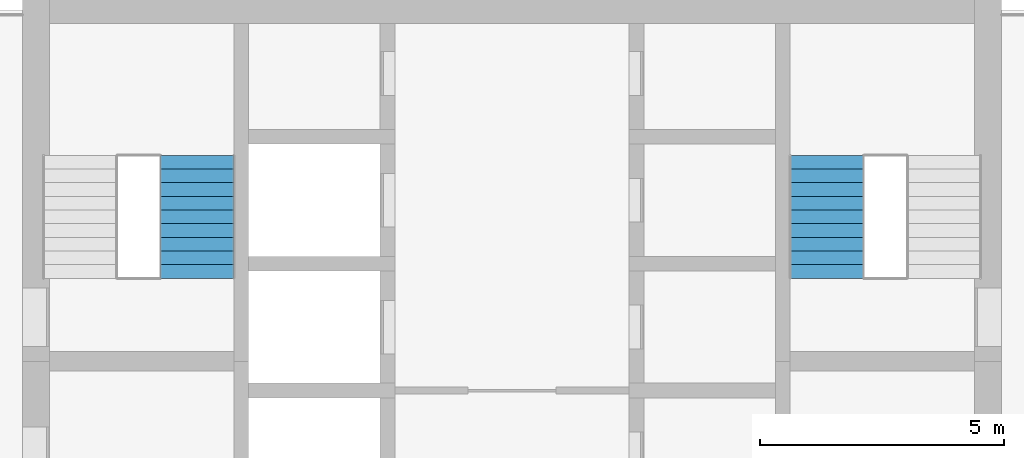
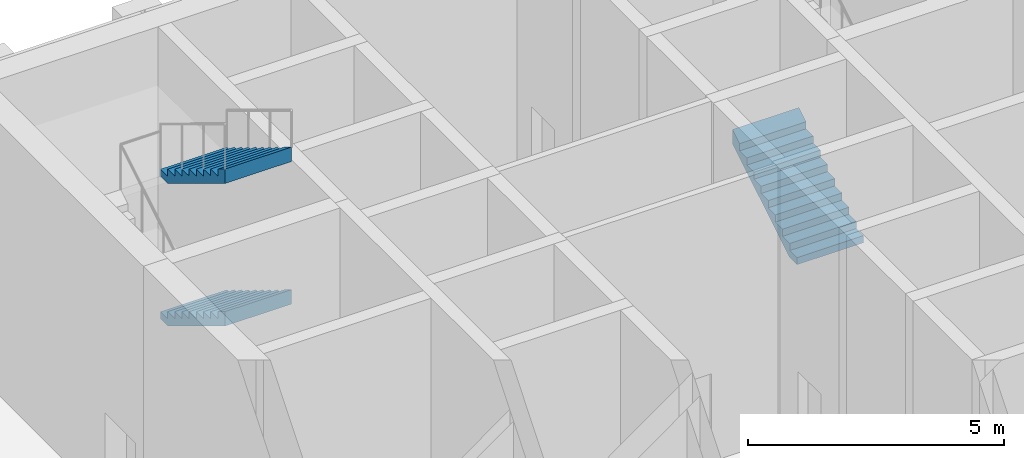
# One storey, part 6 of 10: 3 stair flights, 2 elements without a shape of their own.
"""IFC4 building model written with IfcOpenShell, lengths in metres."""

from ifc_helpers import new_model, si_unit, direction, frame, origin, place, context, subcontext, project, spatial, triangles, material, type_object, element, aggregate, save


model = new_model("IFC4")

# Units and contexts
model_context = context("Model", 3, precision=1e-05, world=origin(), true_north=direction((0.0, 1.0)))
body_context = subcontext(model_context, "Body", "Model", "MODEL_VIEW")
ifc_project = project(units=[si_unit("LENGTHUNIT", "METRE"), si_unit("AREAUNIT", "SQUARE_METRE"), si_unit("VOLUMEUNIT", "CUBIC_METRE"), si_unit("PLANEANGLEUNIT", "RADIAN"), si_unit("MASSUNIT", "GRAM", prefix="KILO")], contexts=[model_context])

# Site, building, storey
site_placement = place(None, origin())
site = spatial("IfcSite", under=ifc_project, at=site_placement, CompositionType="ELEMENT")
building_placement = place(site_placement, origin())
building = spatial("IfcBuilding", under=site, at=building_placement, Name="Ludao Terraces", CompositionType="ELEMENT")
storey_placement = place(building_placement, frame((0.0, 0.0, 116.89990234375)))
storey = spatial("IfcBuildingStorey", under=building, at=storey_placement, Name="L32", CompositionType="ELEMENT", Elevation=116.89990234375)

# Stair, stair flights
ifc_material = material(Name="Concrete C40", Category="concrete")
stair_type = type_object("IfcStairType", Name="INT Stair", PredefinedType="HALF_TURN_STAIR", material=ifc_material)
stair_1_placement = place(storey_placement, origin())
stair_1 = element("IfcStair", 1, at=stair_1_placement, inside=storey, type_object=stair_type, Name="EXIT STAIR 1", PredefinedType="HALF_TURN_STAIR")
stair_flight_type = type_object("IfcStairFlightType", Name="INT Stair flight", PredefinedType="STRAIGHT", material=ifc_material)
stair_flight_1_placement = place(storey_placement, frame((78.550048828125, 81.52001953125, 1.7001953125), z_axis=(0.0, 0.0, 1.0), x_axis=(0.0, -1.0, 0.0)))
stair_flight_1 = element("IfcStairFlight", 2, at=stair_flight_1_placement, type_object=stair_flight_type, Name="ST1 flight 2", NumberOfRisers=10, NumberOfTreads=9, PredefinedType="STRAIGHT", RiserHeight=0.17, TreadLength=0.28, context=body_context, shape_type="Tessellation", body=[
    triangles([(0.0, -0.75, 0.0), (0.0, -0.5, 0.0), (0.0, -0.25, 0.0), (0.0, 0.0, 0.0), (0.0, 0.25, 0.0), (0.0, 0.5, 0.0), (0.0, 0.75, 0.0), (0.0, -0.75, 0.169921875), (0.0, -0.5, 0.169921875), (0.0, -0.25, 0.169921875), (0.0, 0.0, 0.169921875), (0.0, 0.25, 0.169921875), (0.0, 0.5, 0.169921875), (0.0, 0.75, 0.169921875), (0.280029296875, -0.75, 0.169921875), (0.280029296875, -0.5, 0.169921875), (0.280029296875, -0.25, 0.169921875), (0.280029296875, 0.0, 0.169921875), (0.280029296875, 0.25, 0.169921875), (0.280029296875, 0.5, 0.169921875), (0.280029296875, 0.75, 0.169921875), (0.280029296875, -0.75, 0.340087890625), (0.280029296875, -0.5, 0.340087890625), (0.280029296875, -0.25, 0.340087890625), (0.280029296875, 0.0, 0.340087890625), (0.280029296875, 0.25, 0.340087890625), (0.280029296875, 0.5, 0.340087890625), (0.280029296875, 0.75, 0.340087890625), (0.56005859375, -0.75, 0.340087890625), (0.56005859375, -0.5, 0.340087890625), (0.56005859375, -0.25, 0.340087890625), (0.56005859375, 0.0, 0.340087890625), (0.56005859375, 0.25, 0.340087890625), (0.56005859375, 0.5, 0.340087890625), (0.56005859375, 0.75, 0.340087890625), (0.56005859375, -0.75, 0.510009765625), (0.56005859375, -0.5, 0.510009765625), (0.56005859375, -0.25, 0.510009765625), (0.56005859375, 0.0, 0.510009765625), (0.56005859375, 0.25, 0.510009765625), (0.56005859375, 0.5, 0.510009765625), (0.56005859375, 0.75, 0.510009765625), (0.840087890625, -0.75, 0.510009765625), (0.840087890625, -0.5, 0.510009765625), (0.840087890625, -0.25, 0.510009765625), (0.840087890625, 0.0, 0.510009765625), (0.840087890625, 0.25, 0.510009765625), (0.840087890625, 0.5, 0.510009765625), (0.840087890625, 0.75, 0.510009765625), (0.840087890625, -0.75, 0.679931640625), (0.840087890625, -0.5, 0.679931640625), (0.840087890625, -0.25, 0.679931640625), (0.840087890625, 0.0, 0.679931640625), (0.840087890625, 0.25, 0.679931640625), (0.840087890625, 0.5, 0.679931640625), (0.840087890625, 0.75, 0.679931640625), (1.1201171875, -0.75, 0.679931640625), (1.1201171875, -0.5, 0.679931640625), (1.1201171875, -0.25, 0.679931640625), (1.1201171875, 0.0, 0.679931640625), (1.1201171875, 0.25, 0.679931640625), (1.1201171875, 0.5, 0.679931640625), (1.1201171875, 0.75, 0.679931640625), (1.1201171875, -0.75, 0.85009765625), (1.1201171875, -0.5, 0.85009765625), (1.1201171875, -0.25, 0.85009765625), (1.1201171875, 0.0, 0.85009765625), (1.1201171875, 0.25, 0.85009765625), (1.1201171875, 0.5, 0.85009765625), (1.1201171875, 0.75, 0.85009765625), (1.39990234375, -0.75, 0.85009765625), (1.39990234375, -0.5, 0.85009765625), (1.39990234375, -0.25, 0.85009765625), (1.39990234375, 0.0, 0.85009765625), (1.39990234375, 0.25, 0.85009765625), (1.39990234375, 0.5, 0.85009765625), (1.39990234375, 0.75, 0.85009765625), (1.39990234375, -0.75, 1.02001953125), (1.39990234375, -0.5, 1.02001953125), (1.39990234375, -0.25, 1.02001953125), (1.39990234375, 0.0, 1.02001953125), (1.39990234375, 0.25, 1.02001953125), (1.39990234375, 0.5, 1.02001953125), (1.39990234375, 0.75, 1.02001953125), (1.679931640625, -0.75, 1.02001953125), (1.679931640625, -0.5, 1.02001953125), (1.679931640625, -0.25, 1.02001953125), (1.679931640625, 0.0, 1.02001953125), (1.679931640625, 0.25, 1.02001953125), (1.679931640625, 0.5, 1.02001953125), (1.679931640625, 0.75, 1.02001953125), (1.679931640625, -0.75, 1.18994140625), (1.679931640625, -0.5, 1.18994140625), (1.679931640625, -0.25, 1.18994140625), (1.679931640625, 0.0, 1.18994140625), (1.679931640625, 0.25, 1.18994140625), (1.679931640625, 0.5, 1.18994140625), (1.679931640625, 0.75, 1.18994140625), (1.9599609375, -0.75, 1.18994140625), (1.9599609375, -0.5, 1.18994140625), (1.9599609375, -0.25, 1.18994140625), (1.9599609375, 0.0, 1.18994140625), (1.9599609375, 0.25, 1.18994140625), (1.9599609375, 0.5, 1.18994140625), (1.9599609375, 0.75, 1.18994140625), (1.9599609375, -0.75, 1.360107421875), (1.9599609375, -0.5, 1.360107421875), (1.9599609375, -0.25, 1.360107421875), (1.9599609375, 0.0, 1.360107421875), (1.9599609375, 0.25, 1.360107421875), (1.9599609375, 0.5, 1.360107421875), (1.9599609375, 0.75, 1.360107421875), (2.239990234375, -0.75, 1.360107421875), (2.239990234375, -0.5, 1.360107421875), (2.239990234375, -0.25, 1.360107421875), (2.239990234375, 0.0, 1.360107421875), (2.239990234375, 0.25, 1.360107421875), (2.239990234375, 0.5, 1.360107421875), (2.239990234375, 0.75, 1.360107421875), (2.239990234375, -0.75, 1.530029296875), (2.239990234375, -0.5, 1.530029296875), (2.239990234375, -0.25, 1.530029296875), (2.239990234375, 0.0, 1.530029296875), (2.239990234375, 0.25, 1.530029296875), (2.239990234375, 0.5, 1.530029296875), (2.239990234375, 0.75, 1.530029296875), (2.52001953125, -0.75, 1.699951171875), (2.52001953125, -0.5, 1.699951171875), (2.52001953125, -0.25, 1.699951171875), (2.52001953125, 0.0, 1.699951171875), (2.52001953125, 0.25, 1.699951171875), (2.52001953125, 0.5, 1.699951171875), (2.52001953125, 0.75, 1.699951171875), (2.52001953125, -0.75, 1.354736328125), (2.52001953125, -0.5, 1.354736328125), (2.52001953125, -0.25, 1.354736328125), (2.52001953125, 0.0, 1.354736328125), (2.52001953125, 0.25, 1.354736328125), (2.52001953125, 0.5, 1.354736328125), (2.52001953125, 0.75, 1.354736328125), (0.288818359375, -0.75, 0.0), (0.288818359375, -0.5, 0.0), (0.288818359375, -0.25, 0.0), (0.288818359375, 0.0, 0.0), (0.288818359375, 0.25, 0.0), (0.288818359375, 0.5, 0.0), (0.288818359375, 0.75, 0.0)], [[1, 141, 134], [7, 140, 147], [134, 127, 120], [140, 126, 133], [134, 120, 113], [140, 119, 126], [134, 113, 106], [140, 112, 119], [134, 106, 99], [140, 105, 112], [99, 92, 85], [105, 91, 98], [134, 99, 85], [140, 91, 105], [85, 78, 71], [91, 77, 84], [134, 85, 71], [140, 77, 91], [71, 64, 57], [77, 63, 70], [134, 71, 57], [140, 63, 77], [57, 50, 43], [63, 49, 56], [134, 57, 43], [140, 49, 63], [43, 36, 29], [49, 35, 42], [134, 43, 29], [140, 35, 49], [29, 22, 15], [35, 21, 28], [134, 29, 15], [140, 21, 35], [1, 134, 15], [7, 21, 140], [15, 8, 1], [21, 7, 14], [1, 9, 2], [1, 8, 9], [2, 10, 3], [2, 9, 10], [3, 11, 4], [3, 10, 11], [4, 12, 5], [4, 11, 12], [5, 13, 6], [5, 12, 13], [6, 14, 7], [6, 13, 14], [8, 16, 9], [8, 15, 16], [9, 17, 10], [9, 16, 17], [10, 18, 11], [10, 17, 18], [11, 19, 12], [11, 18, 19], [12, 20, 13], [12, 19, 20], [13, 21, 14], [13, 20, 21], [15, 23, 16], [15, 22, 23], [16, 24, 17], [16, 23, 24], [17, 25, 18], [17, 24, 25], [18, 26, 19], [18, 25, 26], [19, 27, 20], [19, 26, 27], [20, 28, 21], [20, 27, 28], [22, 30, 23], [22, 29, 30], [23, 31, 24], [23, 30, 31], [24, 32, 25], [24, 31, 32], [25, 33, 26], [25, 32, 33], [26, 34, 27], [26, 33, 34], [27, 35, 28], [27, 34, 35], [29, 37, 30], [29, 36, 37], [30, 38, 31], [30, 37, 38], [31, 39, 32], [31, 38, 39], [32, 40, 33], [32, 39, 40], [33, 41, 34], [33, 40, 41], [34, 42, 35], [34, 41, 42], [36, 44, 37], [36, 43, 44], [37, 45, 38], [37, 44, 45], [38, 46, 39], [38, 45, 46], [39, 47, 40], [39, 46, 47], [40, 48, 41], [40, 47, 48], [41, 49, 42], [41, 48, 49], [43, 51, 44], [43, 50, 51], [44, 52, 45], [44, 51, 52], [45, 53, 46], [45, 52, 53], [46, 54, 47], [46, 53, 54], [47, 55, 48], [47, 54, 55], [48, 56, 49], [48, 55, 56], [50, 58, 51], [50, 57, 58], [51, 59, 52], [51, 58, 59], [52, 60, 53], [52, 59, 60], [53, 61, 54], [53, 60, 61], [54, 62, 55], [54, 61, 62], [55, 63, 56], [55, 62, 63], [57, 65, 58], [57, 64, 65], [58, 66, 59], [58, 65, 66], [59, 67, 60], [59, 66, 67], [60, 68, 61], [60, 67, 68], [61, 69, 62], [61, 68, 69], [62, 70, 63], [62, 69, 70], [64, 72, 65], [64, 71, 72], [65, 73, 66], [65, 72, 73], [66, 74, 67], [66, 73, 74], [67, 75, 68], [67, 74, 75], [68, 76, 69], [68, 75, 76], [69, 77, 70], [69, 76, 77], [71, 79, 72], [71, 78, 79], [72, 80, 73], [72, 79, 80], [73, 81, 74], [73, 80, 81], [74, 82, 75], [74, 81, 82], [75, 83, 76], [75, 82, 83], [76, 84, 77], [76, 83, 84], [78, 86, 79], [78, 85, 86], [79, 87, 80], [79, 86, 87], [80, 88, 81], [80, 87, 88], [81, 89, 82], [81, 88, 89], [82, 90, 83], [82, 89, 90], [83, 91, 84], [83, 90, 91], [85, 93, 86], [85, 92, 93], [86, 94, 87], [86, 93, 94], [87, 95, 88], [87, 94, 95], [88, 96, 89], [88, 95, 96], [89, 97, 90], [89, 96, 97], [90, 98, 91], [90, 97, 98], [92, 100, 93], [92, 99, 100], [93, 101, 94], [93, 100, 101], [94, 102, 95], [94, 101, 102], [95, 103, 96], [95, 102, 103], [96, 104, 97], [96, 103, 104], [97, 105, 98], [97, 104, 105], [99, 107, 100], [99, 106, 107], [100, 108, 101], [100, 107, 108], [101, 109, 102], [101, 108, 109], [102, 110, 103], [102, 109, 110], [103, 111, 104], [103, 110, 111], [104, 112, 105], [104, 111, 112], [106, 114, 107], [106, 113, 114], [107, 115, 108], [107, 114, 115], [108, 116, 109], [108, 115, 116], [109, 117, 110], [109, 116, 117], [110, 118, 111], [110, 117, 118], [111, 119, 112], [111, 118, 119], [113, 121, 114], [113, 120, 121], [114, 122, 115], [114, 121, 122], [115, 123, 116], [115, 122, 123], [116, 124, 117], [116, 123, 124], [117, 125, 118], [117, 124, 125], [118, 126, 119], [118, 125, 126], [120, 128, 121], [120, 127, 128], [121, 129, 122], [121, 128, 129], [122, 130, 123], [122, 129, 130], [123, 131, 124], [123, 130, 131], [124, 132, 125], [124, 131, 132], [125, 133, 126], [125, 132, 133], [127, 135, 128], [127, 134, 135], [128, 136, 129], [128, 135, 136], [129, 137, 130], [129, 136, 137], [130, 138, 131], [130, 137, 138], [131, 139, 132], [131, 138, 139], [132, 140, 133], [132, 139, 140], [134, 142, 135], [134, 141, 142], [135, 143, 136], [135, 142, 143], [136, 144, 137], [136, 143, 144], [137, 145, 138], [137, 144, 145], [138, 146, 139], [138, 145, 146], [139, 147, 140], [139, 146, 147], [141, 2, 142], [141, 1, 2], [142, 3, 143], [142, 2, 3], [143, 4, 144], [143, 3, 4], [144, 5, 145], [144, 4, 5], [145, 6, 146], [145, 5, 6], [146, 7, 147], [146, 6, 7]], closed=True),
])
stair_flight_2_placement = place(storey_placement, frame((78.550048828125, 81.52001953125, 5.10009765625), z_axis=(0.0, 0.0, 1.0), x_axis=(0.0, -1.0, 0.0)))
stair_flight_2 = element("IfcStairFlight", 3, at=stair_flight_2_placement, type_object=stair_flight_type, Name="ST1 flight 4", NumberOfRisers=10, NumberOfTreads=9, PredefinedType="STRAIGHT", RiserHeight=0.17, TreadLength=0.28, context=body_context, shape_type="Tessellation", body=[
    triangles([(0.0, -0.75, 0.0), (0.0, -0.5, 0.0), (0.0, -0.25, 0.0), (0.0, 0.0, 0.0), (0.0, 0.25, 0.0), (0.0, 0.5, 0.0), (0.0, 0.75, 0.0), (0.0, -0.75, 0.169921875), (0.0, -0.5, 0.169921875), (0.0, -0.25, 0.169921875), (0.0, 0.0, 0.169921875), (0.0, 0.25, 0.169921875), (0.0, 0.5, 0.169921875), (0.0, 0.75, 0.169921875), (0.280029296875, -0.75, 0.169921875), (0.280029296875, -0.5, 0.169921875), (0.280029296875, -0.25, 0.169921875), (0.280029296875, 0.0, 0.169921875), (0.280029296875, 0.25, 0.169921875), (0.280029296875, 0.5, 0.169921875), (0.280029296875, 0.75, 0.169921875), (0.280029296875, -0.75, 0.340087890625), (0.280029296875, -0.5, 0.340087890625), (0.280029296875, -0.25, 0.340087890625), (0.280029296875, 0.0, 0.340087890625), (0.280029296875, 0.25, 0.340087890625), (0.280029296875, 0.5, 0.340087890625), (0.280029296875, 0.75, 0.340087890625), (0.56005859375, -0.75, 0.340087890625), (0.56005859375, -0.5, 0.340087890625), (0.56005859375, -0.25, 0.340087890625), (0.56005859375, 0.0, 0.340087890625), (0.56005859375, 0.25, 0.340087890625), (0.56005859375, 0.5, 0.340087890625), (0.56005859375, 0.75, 0.340087890625), (0.56005859375, -0.75, 0.510009765625), (0.56005859375, -0.5, 0.510009765625), (0.56005859375, -0.25, 0.510009765625), (0.56005859375, 0.0, 0.510009765625), (0.56005859375, 0.25, 0.510009765625), (0.56005859375, 0.5, 0.510009765625), (0.56005859375, 0.75, 0.510009765625), (0.840087890625, -0.75, 0.510009765625), (0.840087890625, -0.5, 0.510009765625), (0.840087890625, -0.25, 0.510009765625), (0.840087890625, 0.0, 0.510009765625), (0.840087890625, 0.25, 0.510009765625), (0.840087890625, 0.5, 0.510009765625), (0.840087890625, 0.75, 0.510009765625), (0.840087890625, -0.75, 0.679931640625), (0.840087890625, -0.5, 0.679931640625), (0.840087890625, -0.25, 0.679931640625), (0.840087890625, 0.0, 0.679931640625), (0.840087890625, 0.25, 0.679931640625), (0.840087890625, 0.5, 0.679931640625), (0.840087890625, 0.75, 0.679931640625), (1.1201171875, -0.75, 0.679931640625), (1.1201171875, -0.5, 0.679931640625), (1.1201171875, -0.25, 0.679931640625), (1.1201171875, 0.0, 0.679931640625), (1.1201171875, 0.25, 0.679931640625), (1.1201171875, 0.5, 0.679931640625), (1.1201171875, 0.75, 0.679931640625), (1.1201171875, -0.75, 0.85009765625), (1.1201171875, -0.5, 0.85009765625), (1.1201171875, -0.25, 0.85009765625), (1.1201171875, 0.0, 0.85009765625), (1.1201171875, 0.25, 0.85009765625), (1.1201171875, 0.5, 0.85009765625), (1.1201171875, 0.75, 0.85009765625), (1.39990234375, -0.75, 0.85009765625), (1.39990234375, -0.5, 0.85009765625), (1.39990234375, -0.25, 0.85009765625), (1.39990234375, 0.0, 0.85009765625), (1.39990234375, 0.25, 0.85009765625), (1.39990234375, 0.5, 0.85009765625), (1.39990234375, 0.75, 0.85009765625), (1.39990234375, -0.75, 1.02001953125), (1.39990234375, -0.5, 1.02001953125), (1.39990234375, -0.25, 1.02001953125), (1.39990234375, 0.0, 1.02001953125), (1.39990234375, 0.25, 1.02001953125), (1.39990234375, 0.5, 1.02001953125), (1.39990234375, 0.75, 1.02001953125), (1.679931640625, -0.75, 1.02001953125), (1.679931640625, -0.5, 1.02001953125), (1.679931640625, -0.25, 1.02001953125), (1.679931640625, 0.0, 1.02001953125), (1.679931640625, 0.25, 1.02001953125), (1.679931640625, 0.5, 1.02001953125), (1.679931640625, 0.75, 1.02001953125), (1.679931640625, -0.75, 1.18994140625), (1.679931640625, -0.5, 1.18994140625), (1.679931640625, -0.25, 1.18994140625), (1.679931640625, 0.0, 1.18994140625), (1.679931640625, 0.25, 1.18994140625), (1.679931640625, 0.5, 1.18994140625), (1.679931640625, 0.75, 1.18994140625), (1.9599609375, -0.75, 1.18994140625), (1.9599609375, -0.5, 1.18994140625), (1.9599609375, -0.25, 1.18994140625), (1.9599609375, 0.0, 1.18994140625), (1.9599609375, 0.25, 1.18994140625), (1.9599609375, 0.5, 1.18994140625), (1.9599609375, 0.75, 1.18994140625), (1.9599609375, -0.75, 1.360107421875), (1.9599609375, -0.5, 1.360107421875), (1.9599609375, -0.25, 1.360107421875), (1.9599609375, 0.0, 1.360107421875), (1.9599609375, 0.25, 1.360107421875), (1.9599609375, 0.5, 1.360107421875), (1.9599609375, 0.75, 1.360107421875), (2.239990234375, -0.75, 1.360107421875), (2.239990234375, -0.5, 1.360107421875), (2.239990234375, -0.25, 1.360107421875), (2.239990234375, 0.0, 1.360107421875), (2.239990234375, 0.25, 1.360107421875), (2.239990234375, 0.5, 1.360107421875), (2.239990234375, 0.75, 1.360107421875), (2.239990234375, -0.75, 1.530029296875), (2.239990234375, -0.5, 1.530029296875), (2.239990234375, -0.25, 1.530029296875), (2.239990234375, 0.0, 1.530029296875), (2.239990234375, 0.25, 1.530029296875), (2.239990234375, 0.5, 1.530029296875), (2.239990234375, 0.75, 1.530029296875), (2.52001953125, -0.75, 1.699951171875), (2.52001953125, -0.5, 1.699951171875), (2.52001953125, -0.25, 1.699951171875), (2.52001953125, 0.0, 1.699951171875), (2.52001953125, 0.25, 1.699951171875), (2.52001953125, 0.5, 1.699951171875), (2.52001953125, 0.75, 1.699951171875), (2.52001953125, -0.75, 1.354736328125), (2.52001953125, -0.5, 1.354736328125), (2.52001953125, -0.25, 1.354736328125), (2.52001953125, 0.0, 1.354736328125), (2.52001953125, 0.25, 1.354736328125), (2.52001953125, 0.5, 1.354736328125), (2.52001953125, 0.75, 1.354736328125), (0.288818359375, -0.75, 0.0), (0.288818359375, -0.5, 0.0), (0.288818359375, -0.25, 0.0), (0.288818359375, 0.0, 0.0), (0.288818359375, 0.25, 0.0), (0.288818359375, 0.5, 0.0), (0.288818359375, 0.75, 0.0)], [[1, 141, 134], [7, 140, 147], [134, 127, 120], [140, 126, 133], [134, 120, 113], [140, 119, 126], [134, 113, 106], [140, 112, 119], [134, 106, 99], [140, 105, 112], [99, 92, 85], [105, 91, 98], [134, 99, 85], [140, 91, 105], [85, 78, 71], [91, 77, 84], [134, 85, 71], [140, 77, 91], [71, 64, 57], [77, 63, 70], [134, 71, 57], [140, 63, 77], [57, 50, 43], [63, 49, 56], [134, 57, 43], [140, 49, 63], [43, 36, 29], [49, 35, 42], [134, 43, 29], [140, 35, 49], [29, 22, 15], [35, 21, 28], [134, 29, 15], [140, 21, 35], [1, 134, 15], [7, 21, 140], [15, 8, 1], [21, 7, 14], [1, 9, 2], [1, 8, 9], [2, 10, 3], [2, 9, 10], [3, 11, 4], [3, 10, 11], [4, 12, 5], [4, 11, 12], [5, 13, 6], [5, 12, 13], [6, 14, 7], [6, 13, 14], [8, 16, 9], [8, 15, 16], [9, 17, 10], [9, 16, 17], [10, 18, 11], [10, 17, 18], [11, 19, 12], [11, 18, 19], [12, 20, 13], [12, 19, 20], [13, 21, 14], [13, 20, 21], [15, 23, 16], [15, 22, 23], [16, 24, 17], [16, 23, 24], [17, 25, 18], [17, 24, 25], [18, 26, 19], [18, 25, 26], [19, 27, 20], [19, 26, 27], [20, 28, 21], [20, 27, 28], [22, 30, 23], [22, 29, 30], [23, 31, 24], [23, 30, 31], [24, 32, 25], [24, 31, 32], [25, 33, 26], [25, 32, 33], [26, 34, 27], [26, 33, 34], [27, 35, 28], [27, 34, 35], [29, 37, 30], [29, 36, 37], [30, 38, 31], [30, 37, 38], [31, 39, 32], [31, 38, 39], [32, 40, 33], [32, 39, 40], [33, 41, 34], [33, 40, 41], [34, 42, 35], [34, 41, 42], [36, 44, 37], [36, 43, 44], [37, 45, 38], [37, 44, 45], [38, 46, 39], [38, 45, 46], [39, 47, 40], [39, 46, 47], [40, 48, 41], [40, 47, 48], [41, 49, 42], [41, 48, 49], [43, 51, 44], [43, 50, 51], [44, 52, 45], [44, 51, 52], [45, 53, 46], [45, 52, 53], [46, 54, 47], [46, 53, 54], [47, 55, 48], [47, 54, 55], [48, 56, 49], [48, 55, 56], [50, 58, 51], [50, 57, 58], [51, 59, 52], [51, 58, 59], [52, 60, 53], [52, 59, 60], [53, 61, 54], [53, 60, 61], [54, 62, 55], [54, 61, 62], [55, 63, 56], [55, 62, 63], [57, 65, 58], [57, 64, 65], [58, 66, 59], [58, 65, 66], [59, 67, 60], [59, 66, 67], [60, 68, 61], [60, 67, 68], [61, 69, 62], [61, 68, 69], [62, 70, 63], [62, 69, 70], [64, 72, 65], [64, 71, 72], [65, 73, 66], [65, 72, 73], [66, 74, 67], [66, 73, 74], [67, 75, 68], [67, 74, 75], [68, 76, 69], [68, 75, 76], [69, 77, 70], [69, 76, 77], [71, 79, 72], [71, 78, 79], [72, 80, 73], [72, 79, 80], [73, 81, 74], [73, 80, 81], [74, 82, 75], [74, 81, 82], [75, 83, 76], [75, 82, 83], [76, 84, 77], [76, 83, 84], [78, 86, 79], [78, 85, 86], [79, 87, 80], [79, 86, 87], [80, 88, 81], [80, 87, 88], [81, 89, 82], [81, 88, 89], [82, 90, 83], [82, 89, 90], [83, 91, 84], [83, 90, 91], [85, 93, 86], [85, 92, 93], [86, 94, 87], [86, 93, 94], [87, 95, 88], [87, 94, 95], [88, 96, 89], [88, 95, 96], [89, 97, 90], [89, 96, 97], [90, 98, 91], [90, 97, 98], [92, 100, 93], [92, 99, 100], [93, 101, 94], [93, 100, 101], [94, 102, 95], [94, 101, 102], [95, 103, 96], [95, 102, 103], [96, 104, 97], [96, 103, 104], [97, 105, 98], [97, 104, 105], [99, 107, 100], [99, 106, 107], [100, 108, 101], [100, 107, 108], [101, 109, 102], [101, 108, 109], [102, 110, 103], [102, 109, 110], [103, 111, 104], [103, 110, 111], [104, 112, 105], [104, 111, 112], [106, 114, 107], [106, 113, 114], [107, 115, 108], [107, 114, 115], [108, 116, 109], [108, 115, 116], [109, 117, 110], [109, 116, 117], [110, 118, 111], [110, 117, 118], [111, 119, 112], [111, 118, 119], [113, 121, 114], [113, 120, 121], [114, 122, 115], [114, 121, 122], [115, 123, 116], [115, 122, 123], [116, 124, 117], [116, 123, 124], [117, 125, 118], [117, 124, 125], [118, 126, 119], [118, 125, 126], [120, 128, 121], [120, 127, 128], [121, 129, 122], [121, 128, 129], [122, 130, 123], [122, 129, 130], [123, 131, 124], [123, 130, 131], [124, 132, 125], [124, 131, 132], [125, 133, 126], [125, 132, 133], [127, 135, 128], [127, 134, 135], [128, 136, 129], [128, 135, 136], [129, 137, 130], [129, 136, 137], [130, 138, 131], [130, 137, 138], [131, 139, 132], [131, 138, 139], [132, 140, 133], [132, 139, 140], [134, 142, 135], [134, 141, 142], [135, 143, 136], [135, 142, 143], [136, 144, 137], [136, 143, 144], [137, 145, 138], [137, 144, 145], [138, 146, 139], [138, 145, 146], [139, 147, 140], [139, 146, 147], [141, 2, 142], [141, 1, 2], [142, 3, 143], [142, 2, 3], [143, 4, 144], [143, 3, 4], [144, 5, 145], [144, 4, 5], [145, 6, 146], [145, 5, 6], [146, 7, 147], [146, 6, 7]], closed=True),
])
aggregate(stair_1, [stair_flight_1, stair_flight_2])

# Stair, stair flight
stair_2_placement = place(storey_placement, origin())
stair_2 = element("IfcStair", 4, at=stair_2_placement, inside=storey, type_object=stair_type, Name="EXIT STAIR 2", PredefinedType="HALF_TURN_STAIR")
stair_flight_3_placement = place(storey_placement, frame((91.449951171875, 79.0, 0.0), z_axis=(0.0, 0.0, 1.0), x_axis=(0.0, 1.0, 0.0)))
stair_flight_3 = element("IfcStairFlight", 5, at=stair_flight_3_placement, type_object=stair_flight_type, Name="ST2 flight 1", NumberOfRisers=10, NumberOfTreads=9, PredefinedType="STRAIGHT", RiserHeight=0.17, TreadLength=0.28, context=body_context, shape_type="Tessellation", body=[
    triangles([(0.0, -0.75, 0.0), (0.0, -0.5, 0.0), (0.0, -0.25, 0.0), (0.0, 0.0, 0.0), (0.0, 0.25, 0.0), (0.0, 0.5, 0.0), (0.0, 0.75, 0.0), (0.0, -0.75, 0.169921875), (0.0, -0.5, 0.169921875), (0.0, -0.25, 0.169921875), (0.0, 0.0, 0.169921875), (0.0, 0.25, 0.169921875), (0.0, 0.5, 0.169921875), (0.0, 0.75, 0.169921875), (0.280029296875, -0.75, 0.169921875), (0.280029296875, -0.5, 0.169921875), (0.280029296875, -0.25, 0.169921875), (0.280029296875, 0.0, 0.169921875), (0.280029296875, 0.25, 0.169921875), (0.280029296875, 0.5, 0.169921875), (0.280029296875, 0.75, 0.169921875), (0.280029296875, -0.75, 0.340087890625), (0.280029296875, -0.5, 0.340087890625), (0.280029296875, -0.25, 0.340087890625), (0.280029296875, 0.0, 0.340087890625), (0.280029296875, 0.25, 0.340087890625), (0.280029296875, 0.5, 0.340087890625), (0.280029296875, 0.75, 0.340087890625), (0.56005859375, -0.75, 0.340087890625), (0.56005859375, -0.5, 0.340087890625), (0.56005859375, -0.25, 0.340087890625), (0.56005859375, 0.0, 0.340087890625), (0.56005859375, 0.25, 0.340087890625), (0.56005859375, 0.5, 0.340087890625), (0.56005859375, 0.75, 0.340087890625), (0.56005859375, -0.75, 0.510009765625), (0.56005859375, -0.5, 0.510009765625), (0.56005859375, -0.25, 0.510009765625), (0.56005859375, 0.0, 0.510009765625), (0.56005859375, 0.25, 0.510009765625), (0.56005859375, 0.5, 0.510009765625), (0.56005859375, 0.75, 0.510009765625), (0.840087890625, -0.75, 0.510009765625), (0.840087890625, -0.5, 0.510009765625), (0.840087890625, -0.25, 0.510009765625), (0.840087890625, 0.0, 0.510009765625), (0.840087890625, 0.25, 0.510009765625), (0.840087890625, 0.5, 0.510009765625), (0.840087890625, 0.75, 0.510009765625), (0.840087890625, -0.75, 0.679931640625), (0.840087890625, -0.5, 0.679931640625), (0.840087890625, -0.25, 0.679931640625), (0.840087890625, 0.0, 0.679931640625), (0.840087890625, 0.25, 0.679931640625), (0.840087890625, 0.5, 0.679931640625), (0.840087890625, 0.75, 0.679931640625), (1.1201171875, -0.75, 0.679931640625), (1.1201171875, -0.5, 0.679931640625), (1.1201171875, -0.25, 0.679931640625), (1.1201171875, 0.0, 0.679931640625), (1.1201171875, 0.25, 0.679931640625), (1.1201171875, 0.5, 0.679931640625), (1.1201171875, 0.75, 0.679931640625), (1.1201171875, -0.75, 0.85009765625), (1.1201171875, -0.5, 0.85009765625), (1.1201171875, -0.25, 0.85009765625), (1.1201171875, 0.0, 0.85009765625), (1.1201171875, 0.25, 0.85009765625), (1.1201171875, 0.5, 0.85009765625), (1.1201171875, 0.75, 0.85009765625), (1.39990234375, -0.75, 0.85009765625), (1.39990234375, -0.5, 0.85009765625), (1.39990234375, -0.25, 0.85009765625), (1.39990234375, 0.0, 0.85009765625), (1.39990234375, 0.25, 0.85009765625), (1.39990234375, 0.5, 0.85009765625), (1.39990234375, 0.75, 0.85009765625), (1.39990234375, -0.75, 1.02001953125), (1.39990234375, -0.5, 1.02001953125), (1.39990234375, -0.25, 1.02001953125), (1.39990234375, 0.0, 1.02001953125), (1.39990234375, 0.25, 1.02001953125), (1.39990234375, 0.5, 1.02001953125), (1.39990234375, 0.75, 1.02001953125), (1.679931640625, -0.75, 1.02001953125), (1.679931640625, -0.5, 1.02001953125), (1.679931640625, -0.25, 1.02001953125), (1.679931640625, 0.0, 1.02001953125), (1.679931640625, 0.25, 1.02001953125), (1.679931640625, 0.5, 1.02001953125), (1.679931640625, 0.75, 1.02001953125), (1.679931640625, -0.75, 1.18994140625), (1.679931640625, -0.5, 1.18994140625), (1.679931640625, -0.25, 1.18994140625), (1.679931640625, 0.0, 1.18994140625), (1.679931640625, 0.25, 1.18994140625), (1.679931640625, 0.5, 1.18994140625), (1.679931640625, 0.75, 1.18994140625), (1.9599609375, -0.75, 1.18994140625), (1.9599609375, -0.5, 1.18994140625), (1.9599609375, -0.25, 1.18994140625), (1.9599609375, 0.0, 1.18994140625), (1.9599609375, 0.25, 1.18994140625), (1.9599609375, 0.5, 1.18994140625), (1.9599609375, 0.75, 1.18994140625), (1.9599609375, -0.75, 1.360107421875), (1.9599609375, -0.5, 1.360107421875), (1.9599609375, -0.25, 1.360107421875), (1.9599609375, 0.0, 1.360107421875), (1.9599609375, 0.25, 1.360107421875), (1.9599609375, 0.5, 1.360107421875), (1.9599609375, 0.75, 1.360107421875), (2.239990234375, -0.75, 1.360107421875), (2.239990234375, -0.5, 1.360107421875), (2.239990234375, -0.25, 1.360107421875), (2.239990234375, 0.0, 1.360107421875), (2.239990234375, 0.25, 1.360107421875), (2.239990234375, 0.5, 1.360107421875), (2.239990234375, 0.75, 1.360107421875), (2.239990234375, -0.75, 1.530029296875), (2.239990234375, -0.5, 1.530029296875), (2.239990234375, -0.25, 1.530029296875), (2.239990234375, 0.0, 1.530029296875), (2.239990234375, 0.25, 1.530029296875), (2.239990234375, 0.5, 1.530029296875), (2.239990234375, 0.75, 1.530029296875), (2.52001953125, -0.75, 1.699951171875), (2.52001953125, -0.5, 1.699951171875), (2.52001953125, -0.25, 1.699951171875), (2.52001953125, 0.0, 1.699951171875), (2.52001953125, 0.25, 1.699951171875), (2.52001953125, 0.5, 1.699951171875), (2.52001953125, 0.75, 1.699951171875), (2.52001953125, -0.75, 1.354736328125), (2.52001953125, -0.5, 1.354736328125), (2.52001953125, -0.25, 1.354736328125), (2.52001953125, 0.0, 1.354736328125), (2.52001953125, 0.25, 1.354736328125), (2.52001953125, 0.5, 1.354736328125), (2.52001953125, 0.75, 1.354736328125), (0.288818359375, -0.75, 0.0), (0.288818359375, -0.5, 0.0), (0.288818359375, -0.25, 0.0), (0.288818359375, 0.0, 0.0), (0.288818359375, 0.25, 0.0), (0.288818359375, 0.5, 0.0), (0.288818359375, 0.75, 0.0)], [[1, 141, 134], [7, 140, 147], [134, 127, 120], [140, 126, 133], [134, 120, 113], [140, 119, 126], [134, 113, 106], [140, 112, 119], [134, 106, 99], [140, 105, 112], [99, 92, 85], [105, 91, 98], [134, 99, 85], [140, 91, 105], [85, 78, 71], [91, 77, 84], [134, 85, 71], [140, 77, 91], [71, 64, 57], [77, 63, 70], [134, 71, 57], [140, 63, 77], [57, 50, 43], [63, 49, 56], [134, 57, 43], [140, 49, 63], [43, 36, 29], [49, 35, 42], [134, 43, 29], [140, 35, 49], [29, 22, 15], [35, 21, 28], [134, 29, 15], [140, 21, 35], [1, 134, 15], [7, 21, 140], [15, 8, 1], [21, 7, 14], [1, 9, 2], [1, 8, 9], [2, 10, 3], [2, 9, 10], [3, 11, 4], [3, 10, 11], [4, 12, 5], [4, 11, 12], [5, 13, 6], [5, 12, 13], [6, 14, 7], [6, 13, 14], [8, 16, 9], [8, 15, 16], [9, 17, 10], [9, 16, 17], [10, 18, 11], [10, 17, 18], [11, 19, 12], [11, 18, 19], [12, 20, 13], [12, 19, 20], [13, 21, 14], [13, 20, 21], [15, 23, 16], [15, 22, 23], [16, 24, 17], [16, 23, 24], [17, 25, 18], [17, 24, 25], [18, 26, 19], [18, 25, 26], [19, 27, 20], [19, 26, 27], [20, 28, 21], [20, 27, 28], [22, 30, 23], [22, 29, 30], [23, 31, 24], [23, 30, 31], [24, 32, 25], [24, 31, 32], [25, 33, 26], [25, 32, 33], [26, 34, 27], [26, 33, 34], [27, 35, 28], [27, 34, 35], [29, 37, 30], [29, 36, 37], [30, 38, 31], [30, 37, 38], [31, 39, 32], [31, 38, 39], [32, 40, 33], [32, 39, 40], [33, 41, 34], [33, 40, 41], [34, 42, 35], [34, 41, 42], [36, 44, 37], [36, 43, 44], [37, 45, 38], [37, 44, 45], [38, 46, 39], [38, 45, 46], [39, 47, 40], [39, 46, 47], [40, 48, 41], [40, 47, 48], [41, 49, 42], [41, 48, 49], [43, 51, 44], [43, 50, 51], [44, 52, 45], [44, 51, 52], [45, 53, 46], [45, 52, 53], [46, 54, 47], [46, 53, 54], [47, 55, 48], [47, 54, 55], [48, 56, 49], [48, 55, 56], [50, 58, 51], [50, 57, 58], [51, 59, 52], [51, 58, 59], [52, 60, 53], [52, 59, 60], [53, 61, 54], [53, 60, 61], [54, 62, 55], [54, 61, 62], [55, 63, 56], [55, 62, 63], [57, 65, 58], [57, 64, 65], [58, 66, 59], [58, 65, 66], [59, 67, 60], [59, 66, 67], [60, 68, 61], [60, 67, 68], [61, 69, 62], [61, 68, 69], [62, 70, 63], [62, 69, 70], [64, 72, 65], [64, 71, 72], [65, 73, 66], [65, 72, 73], [66, 74, 67], [66, 73, 74], [67, 75, 68], [67, 74, 75], [68, 76, 69], [68, 75, 76], [69, 77, 70], [69, 76, 77], [71, 79, 72], [71, 78, 79], [72, 80, 73], [72, 79, 80], [73, 81, 74], [73, 80, 81], [74, 82, 75], [74, 81, 82], [75, 83, 76], [75, 82, 83], [76, 84, 77], [76, 83, 84], [78, 86, 79], [78, 85, 86], [79, 87, 80], [79, 86, 87], [80, 88, 81], [80, 87, 88], [81, 89, 82], [81, 88, 89], [82, 90, 83], [82, 89, 90], [83, 91, 84], [83, 90, 91], [85, 93, 86], [85, 92, 93], [86, 94, 87], [86, 93, 94], [87, 95, 88], [87, 94, 95], [88, 96, 89], [88, 95, 96], [89, 97, 90], [89, 96, 97], [90, 98, 91], [90, 97, 98], [92, 100, 93], [92, 99, 100], [93, 101, 94], [93, 100, 101], [94, 102, 95], [94, 101, 102], [95, 103, 96], [95, 102, 103], [96, 104, 97], [96, 103, 104], [97, 105, 98], [97, 104, 105], [99, 107, 100], [99, 106, 107], [100, 108, 101], [100, 107, 108], [101, 109, 102], [101, 108, 109], [102, 110, 103], [102, 109, 110], [103, 111, 104], [103, 110, 111], [104, 112, 105], [104, 111, 112], [106, 114, 107], [106, 113, 114], [107, 115, 108], [107, 114, 115], [108, 116, 109], [108, 115, 116], [109, 117, 110], [109, 116, 117], [110, 118, 111], [110, 117, 118], [111, 119, 112], [111, 118, 119], [113, 121, 114], [113, 120, 121], [114, 122, 115], [114, 121, 122], [115, 123, 116], [115, 122, 123], [116, 124, 117], [116, 123, 124], [117, 125, 118], [117, 124, 125], [118, 126, 119], [118, 125, 126], [120, 128, 121], [120, 127, 128], [121, 129, 122], [121, 128, 129], [122, 130, 123], [122, 129, 130], [123, 131, 124], [123, 130, 131], [124, 132, 125], [124, 131, 132], [125, 133, 126], [125, 132, 133], [127, 135, 128], [127, 134, 135], [128, 136, 129], [128, 135, 136], [129, 137, 130], [129, 136, 137], [130, 138, 131], [130, 137, 138], [131, 139, 132], [131, 138, 139], [132, 140, 133], [132, 139, 140], [134, 142, 135], [134, 141, 142], [135, 143, 136], [135, 142, 143], [136, 144, 137], [136, 143, 144], [137, 145, 138], [137, 144, 145], [138, 146, 139], [138, 145, 146], [139, 147, 140], [139, 146, 147], [141, 2, 142], [141, 1, 2], [142, 3, 143], [142, 2, 3], [143, 4, 144], [143, 3, 4], [144, 5, 145], [144, 4, 5], [145, 6, 146], [145, 5, 6], [146, 7, 147], [146, 6, 7]], closed=True),
])
aggregate(stair_2, [stair_flight_3])

save(model, "model.ifc")
